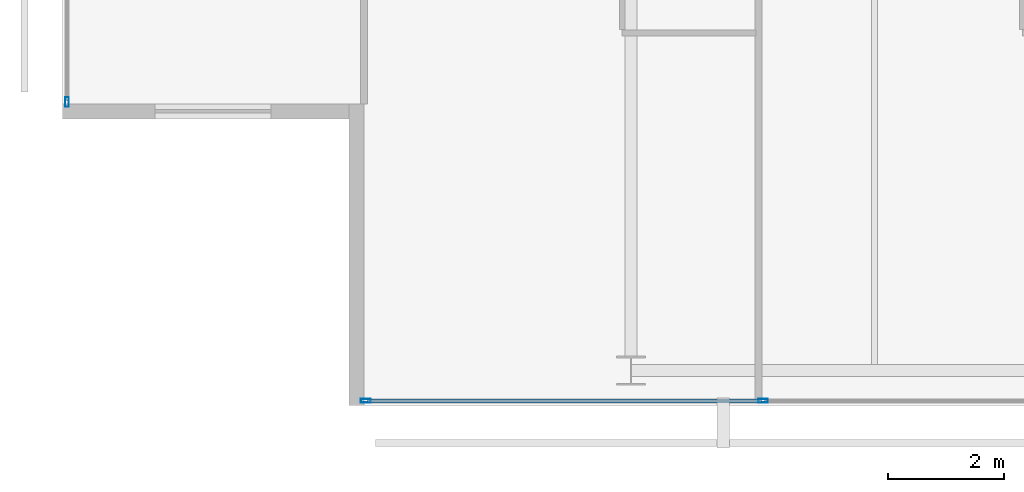
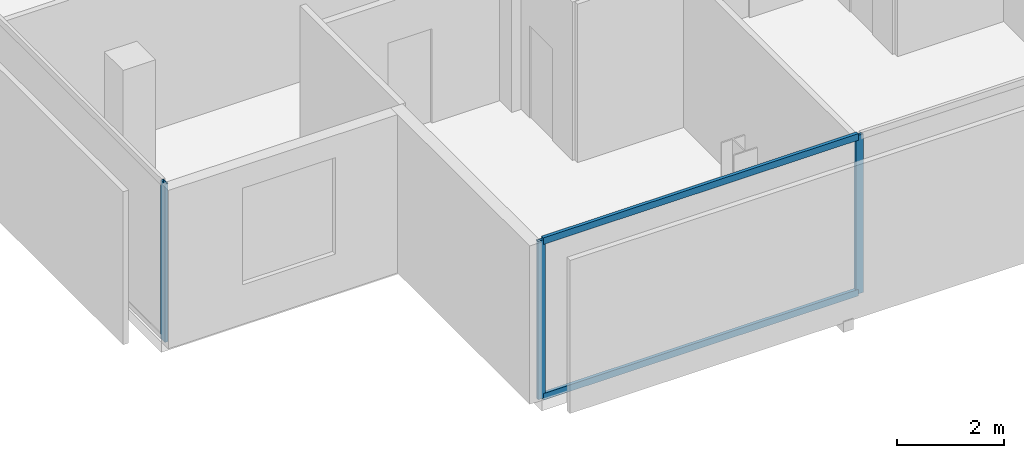
# One storey, part 2 of 26: 5 members, 2 elements without a shape of their own.
"""IFC4 building model written with IfcOpenShell, lengths in metres."""

from ifc_helpers import new_model, si_unit, direction, frame, origin, origin_2d, place, context, subcontext, project, spatial, hollow_rectangle, extrude, material, layer, layer_set, material_profile, profile_set, type_object, element, aggregate, save


model = new_model("IFC4")

# Units and contexts
model_context = context("Model", 3, precision=1e-05, world=origin(), true_north=direction((0.0, 1.0)))
body_context = subcontext(model_context, "Body", "Model", "MODEL_VIEW")
ifc_project = project(units=[si_unit("LENGTHUNIT", "METRE"), si_unit("AREAUNIT", "SQUARE_METRE"), si_unit("VOLUMEUNIT", "CUBIC_METRE"), si_unit("PLANEANGLEUNIT", "RADIAN"), si_unit("MASSUNIT", "GRAM", prefix="KILO")], contexts=[model_context])

# Site, building, storey
site_placement = place(None, origin())
site = spatial("IfcSite", under=ifc_project, at=site_placement, CompositionType="ELEMENT")
building_placement = place(site_placement, origin())
building = spatial("IfcBuilding", under=site, at=building_placement, Name="Maruvema Waterfront Hotel and Observation Tower", CompositionType="ELEMENT")
storey_placement = place(building_placement, frame((0.0, 0.0, 266.35009765625)))
storey = spatial("IfcBuildingStorey", under=building, at=storey_placement, Name="L65", CompositionType="ELEMENT", Elevation=266.35009765625)

# Curtain wall, members
ifc_material_1 = material(Name="Anodised bronze aluminium and solar-control low-E IGU", Category="aluminium")
ifc_layer = layer(ifc_material_1, 0.159912109375, Name="Zone 3 Champagne Inner Thermal Curtain Wall System CW-04")
ifc_layer_set = layer_set([ifc_layer], Name="Anodised bronze aluminium and solar-control low-E IGU")
curtain_wall_type = type_object("IfcCurtainWallType", Name="Zone 3 Champagne Inner Thermal Curtain Wall System CW-04", PredefinedType="USERDEFINED", material=ifc_layer_set)
curtain_wall_1_placement = place(storey_placement, origin())
curtain_wall_1 = element("IfcCurtainWall", 1, at=curtain_wall_1_placement, inside=storey, type_object=curtain_wall_type, Name="L65 Curtain Wall CW-L65-S", ObjectType="UNITISED CURTAIN WALL", PredefinedType="USERDEFINED")
ifc_material_2 = material(Name="Anodised architectural bronze aluminium", Category="aluminium")
ifc_material_profile_1 = material_profile(ifc_material_2, hollow_rectangle(XDim=0.070068359375, YDim=0.14990234375, WallThickness=0.00390625, at=origin_2d()), Name="ALU-T70x150")
ifc_profile_set_1 = profile_set([ifc_material_profile_1], Name="Anodised architectural bronze aluminium")
member_type_1 = type_object("IfcMemberType", Name="Curtain Wall Horizontal Transom ALU-T70x150", PredefinedType="USERDEFINED", material=ifc_profile_set_1)
member_1_placement = place(storey_placement, frame((20.659912109375, 9.280029296875, 0.02978515625), z_axis=(1.0, 0.0, 0.0), x_axis=(0.0, 1.0, 0.0)))
member_1 = element("IfcMember", 2, at=member_1_placement, type_object=member_type_1, Name="CW-04 transom 1.1", ObjectType="TRANSOM", PredefinedType="USERDEFINED", context=body_context, shape_type="SweptSolid", body=[
    extrude(hollow_rectangle(XDim=0.070068359375, YDim=0.14990234375, WallThickness=0.00390625, at=origin_2d()), origin(), (0.0, 0.0, 1.0), 6.7900390625),
])
member_2_placement = place(storey_placement, frame((20.659912109375, 9.280029296875, 3.579833984375), z_axis=(1.0, 0.0, 0.0), x_axis=(0.0, 1.0, 0.0)))
member_2 = element("IfcMember", 3, at=member_2_placement, type_object=member_type_1, Name="CW-04 transom 1.2", ObjectType="TRANSOM", PredefinedType="USERDEFINED", context=body_context, shape_type="SweptSolid", body=[
    extrude(hollow_rectangle(XDim=0.070068359375, YDim=0.14990234375, WallThickness=0.00390625, at=origin_2d()), origin(), (0.0, 0.0, 1.0), 6.7900390625),
])
ifc_material_3 = material(Name="Anodised architectural bronze aluminium", Category="aluminium")
ifc_material_profile_2 = material_profile(ifc_material_3, hollow_rectangle(XDim=0.06494140625, YDim=0.1650390625, WallThickness=0.00390625, at=origin_2d()), Name="ALU-M65x165")
ifc_profile_set_2 = profile_set([ifc_material_profile_2], Name="Anodised architectural bronze aluminium")
member_type_2 = type_object("IfcMemberType", Name="Curtain Wall Primary Mullion ALU-M65x165", PredefinedType="MULLION", material=ifc_profile_set_2)
member_3_placement = place(storey_placement, frame((20.6298828125, 9.280029296875, 0.0), z_axis=(0.0, 0.0, 1.0), x_axis=(0.0, 1.0, 0.0)))
member_3 = element("IfcMember", 4, at=member_3_placement, type_object=member_type_2, Name="CW-04 mullion 1", PredefinedType="MULLION", context=body_context, shape_type="SweptSolid", body=[
    extrude(hollow_rectangle(XDim=0.06494140625, YDim=0.1650390625, WallThickness=0.00390625, at=origin_2d()), origin(), (0.0, 0.0, 1.0), 3.60986328125),
])
member_4_placement = place(storey_placement, frame((27.47998046875, 9.280029296875, 0.0), z_axis=(0.0, 0.0, 1.0), x_axis=(0.0, 1.0, 0.0)))
member_4 = element("IfcMember", 5, at=member_4_placement, type_object=member_type_2, Name="CW-04 mullion 2", PredefinedType="MULLION", context=body_context, shape_type="SweptSolid", body=[
    extrude(hollow_rectangle(XDim=0.06494140625, YDim=0.1650390625, WallThickness=0.00390625, at=origin_2d()), origin(), (0.0, 0.0, 1.0), 3.60986328125),
])
aggregate(curtain_wall_1, [member_3, member_4, member_1, member_2])

# Curtain wall, member
curtain_wall_2_placement = place(storey_placement, origin())
curtain_wall_2 = element("IfcCurtainWall", 6, at=curtain_wall_2_placement, inside=storey, type_object=curtain_wall_type, Name="L65 Curtain Wall CW-L65-W", ObjectType="UNITISED CURTAIN WALL", PredefinedType="USERDEFINED")
member_5_placement = place(storey_placement, frame((15.47998046875, 14.429931640625, 0.0), z_axis=(0.0, 0.0, 1.0), x_axis=(1.0, 0.0, 0.0)))
member_5 = element("IfcMember", 7, at=member_5_placement, type_object=member_type_2, Name="CW-04 mullion 6", PredefinedType="MULLION", context=body_context, shape_type="SweptSolid", body=[
    extrude(hollow_rectangle(XDim=0.06494140625, YDim=0.1650390625, WallThickness=0.00390625, at=origin_2d()), origin(), (0.0, 0.0, 1.0), 3.60986328125),
])
aggregate(curtain_wall_2, [member_5])

save(model, "model.ifc")
